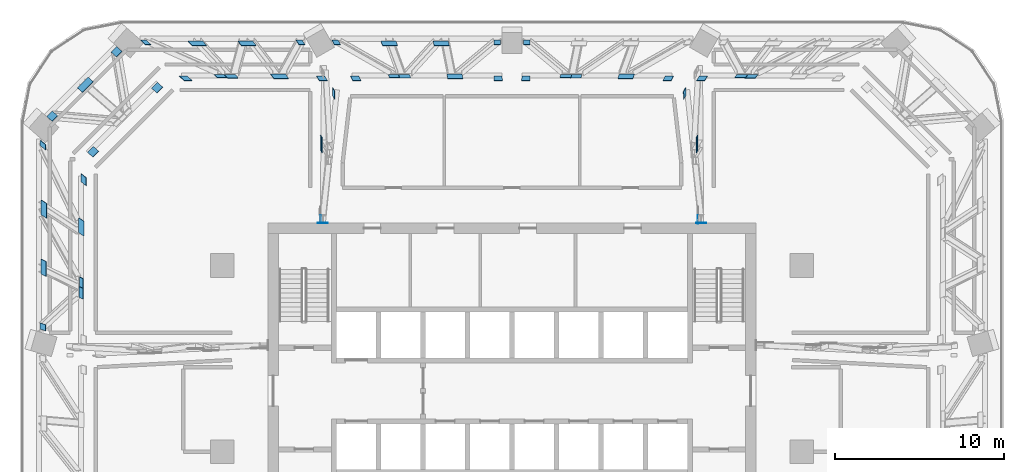
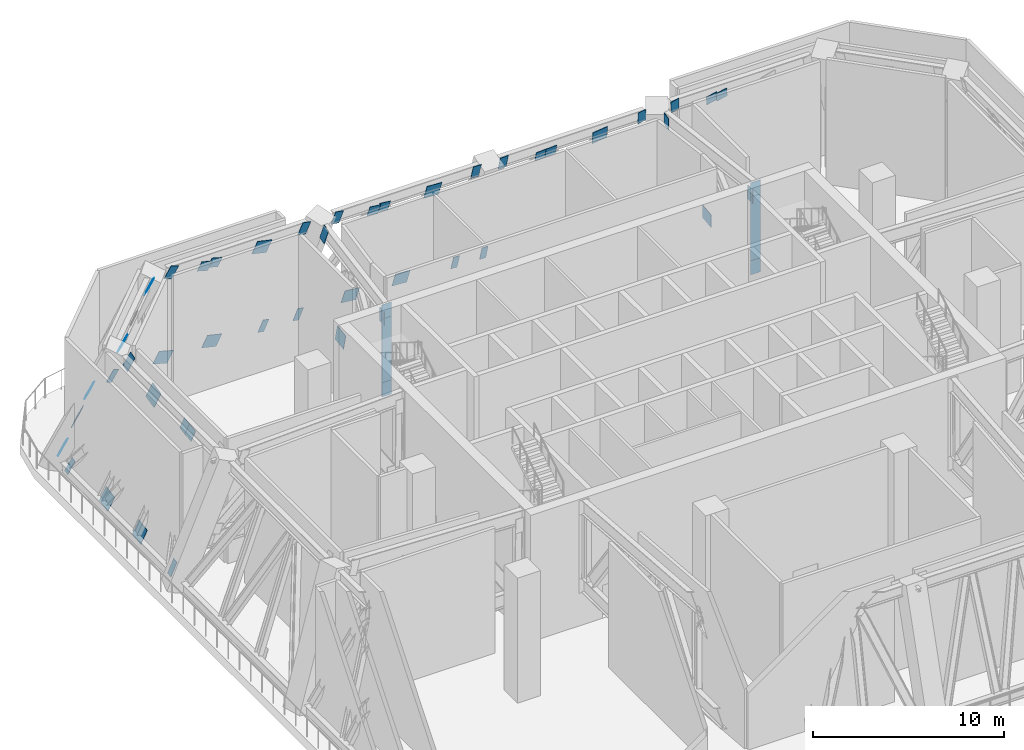
# One storey, part 12 of 24: 52 discrete accessories.
"""IFC4 building model written with IfcOpenShell, lengths in metres."""

from ifc_helpers import new_model, si_unit, direction, frame, origin, origin_2d, place, context, subcontext, project, spatial, rectangle, extrude, material, layer, layer_set, type_object, element, save


model = new_model("IFC4")

# Units and contexts
model_context = context("Model", 3, precision=1e-05, world=origin(), true_north=direction((0.0, 1.0)))
body_context = subcontext(model_context, "Body", "Model", "MODEL_VIEW")
ifc_project = project(units=[si_unit("LENGTHUNIT", "METRE"), si_unit("AREAUNIT", "SQUARE_METRE"), si_unit("VOLUMEUNIT", "CUBIC_METRE"), si_unit("PLANEANGLEUNIT", "RADIAN"), si_unit("MASSUNIT", "GRAM", prefix="KILO")], contexts=[model_context])

# Site, building, storey
site_placement = place(None, origin())
site = spatial("IfcSite", under=ifc_project, at=site_placement, CompositionType="ELEMENT")
building_placement = place(site_placement, origin())
building = spatial("IfcBuilding", under=site, at=building_placement, Name="Mopane Tessera Tower", CompositionType="ELEMENT")
storey_placement = place(building_placement, frame((0.0, 0.0, 148.60009765625)))
storey = spatial("IfcBuildingStorey", under=building, at=storey_placement, Name="L30", CompositionType="ELEMENT", Elevation=148.60009765625)

# Discrete accessories
ifc_material_1 = material(Name="Structural steel S460", Category="steel")
ifc_layer_1 = layer(ifc_material_1, 0.014892578125)
ifc_layer_set_1 = layer_set([ifc_layer_1], Name="Structural steel S460")
discrete_accessory_type_1 = type_object("IfcDiscreteAccessoryType", Name="Cast-in anchor plate 15 mm", PredefinedType="ANCHORPLATE", material=ifc_layer_set_1)
for number, where, z_axis, x_axis, name in (
    (1, (11.168701171875, 13.507568359375, 2.099853515625), (0.0, 0.0, 1.0), (0.0, 1.0, 0.0), "Cast-in anchor plate s ot L30 N1 b"),
    (2, (11.1669921875, 13.507568359375, 7.08984375), (0.0, 0.0, 1.0), (0.0, 1.0, 0.0), "Cast-in anchor plate s ot L30 N1 t"),
):
    element("IfcDiscreteAccessory", number, at=place(storey_placement, frame(where, z_axis=z_axis, x_axis=x_axis)), inside=storey, type_object=discrete_accessory_type_1, Name=name, PredefinedType="ANCHORPLATE", context=body_context, shape_type="SweptSolid", body=[
        extrude(rectangle(XDim=0.014892578125, YDim=0.60205078125, at=origin_2d()), origin(), (0.0, 0.0, 1.0), 0.91015625),
    ])
discrete_accessory_1_placement = place(storey_placement, frame((11.16796875, 13.507568359375, 3.010009765625), z_axis=(0.0, 0.0, 1.0), x_axis=(0.0, 1.0, 0.0)))
element("IfcDiscreteAccessory", 3, at=discrete_accessory_1_placement, inside=storey, type_object=discrete_accessory_type_1, Name="Cast-in anchor plate s ot L30 N1 p", PredefinedType="ANCHORPLATE", context=body_context, shape_type="SweptSolid", body=[
    extrude(rectangle(XDim=0.014892578125, YDim=0.60205078125, at=origin_2d()), origin(), (0.0, 0.0, 1.0), 4.079833984375),
])
for number, where, z_axis, x_axis, name in (
    (4, (-11.168701171875, 13.507568359375, 2.099853515625), (0.0, 0.0, 1.0), (0.0, 1.0, 0.0), "Cast-in anchor plate s ot L30 N3 b"),
    (5, (-11.1669921875, 13.507568359375, 7.08984375), (0.0, 0.0, 1.0), (0.0, 1.0, 0.0), "Cast-in anchor plate s ot L30 N3 t"),
):
    element("IfcDiscreteAccessory", number, at=place(storey_placement, frame(where, z_axis=z_axis, x_axis=x_axis)), inside=storey, type_object=discrete_accessory_type_1, Name=name, PredefinedType="ANCHORPLATE", context=body_context, shape_type="SweptSolid", body=[
        extrude(rectangle(XDim=0.014892578125, YDim=0.60205078125, at=origin_2d()), origin(), (0.0, 0.0, 1.0), 0.91015625),
    ])
discrete_accessory_2_placement = place(storey_placement, frame((-11.16796875, 13.507568359375, 3.010009765625), z_axis=(0.0, 0.0, 1.0), x_axis=(0.0, 1.0, 0.0)))
element("IfcDiscreteAccessory", 6, at=discrete_accessory_2_placement, inside=storey, type_object=discrete_accessory_type_1, Name="Cast-in anchor plate s ot L30 N3 p", PredefinedType="ANCHORPLATE", context=body_context, shape_type="SweptSolid", body=[
    extrude(rectangle(XDim=0.014892578125, YDim=0.60205078125, at=origin_2d()), origin(), (0.0, 0.0, 1.0), 4.079833984375),
])
ifc_material_2 = material(Name="Structural steel S460", Category="steel")
ifc_layer_2 = layer(ifc_material_2, 0.030029296875)
ifc_layer_set_2 = layer_set([ifc_layer_2], Name="Structural steel S460")
discrete_accessory_type_2 = type_object("IfcDiscreteAccessoryType", Name="Truss node plate 30 mm", PredefinedType="BRACKET", material=ifc_layer_set_2)
discrete_accessory_3_placement = place(storey_placement, frame((10.982421875, 13.735107421875, 6.639892578125), z_axis=(-0.004340582655, -0.007596019647, 0.999961729182), x_axis=(-0.999970104883, -0.006366020669, -0.004388977281)))
element("IfcDiscreteAccessory", 7, at=discrete_accessory_3_placement, inside=storey, type_object=discrete_accessory_type_2, Name="Truss node plate s ot L30 N1 1", PredefinedType="BRACKET", context=body_context, shape_type="SweptSolid", body=[
    extrude(rectangle(XDim=0.030029296875, YDim=0.489990234375, at=origin_2d()), origin(), (0.0, 0.0, 1.0), 0.89990234375),
])
discrete_accessory_4_placement = place(storey_placement, frame((10.966552734375, 18.24072265625, 2.559814453125), z_axis=(-0.077683155204, -0.136079458082, 0.987647562892), x_axis=(-0.996955179785, 0.003885898503, -0.077879838812)))
element("IfcDiscreteAccessory", 8, at=discrete_accessory_4_placement, inside=storey, type_object=discrete_accessory_type_2, Name="Truss node plate s ot L30 N1 4", PredefinedType="BRACKET", context=body_context, shape_type="SweptSolid", body=[
    extrude(rectangle(XDim=0.030029296875, YDim=0.89990234375, at=origin_2d()), origin(), (0.0, 0.0, 1.0), 0.911376953125),
])
discrete_accessory_5_placement = place(storey_placement, frame((10.2607421875, 21.28271484375, 7.094970703125), z_axis=(-0.142395693984, -0.249712156785, 0.957792934349), x_axis=(-0.989784502186, 0.029003009586, -0.139590345899)))
element("IfcDiscreteAccessory", 9, at=discrete_accessory_5_placement, inside=storey, type_object=discrete_accessory_type_2, Name="Truss node plate s ot L30 N1 7", PredefinedType="BRACKET", context=body_context, shape_type="SweptSolid", body=[
    extrude(rectangle(XDim=0.030029296875, YDim=0.489990234375, at=origin_2d()), origin(), (0.0, 0.0, 1.0), 0.939453125),
])
discrete_accessory_6_placement = place(storey_placement, frame((-11.314453125, 13.73779296875, 6.639892578125), z_axis=(0.004340573551, -0.007867289561, 0.999959631773), x_axis=(-0.999762039153, 0.021343529796, 0.004507638359)))
element("IfcDiscreteAccessory", 10, at=discrete_accessory_6_placement, inside=storey, type_object=discrete_accessory_type_2, Name="Truss node plate s ot L30 N3 1", PredefinedType="BRACKET", context=body_context, shape_type="SweptSolid", body=[
    extrude(rectangle(XDim=0.030029296875, YDim=0.489990234375, at=origin_2d()), origin(), (0.0, 0.0, 1.0), 0.89990234375),
])
discrete_accessory_7_placement = place(storey_placement, frame((-11.298583984375, 18.2431640625, 2.559814453125), z_axis=(0.077683155204, -0.136079458082, 0.987647562892), x_axis=(-0.996955179785, -0.003885898503, 0.077879838812)))
element("IfcDiscreteAccessory", 11, at=discrete_accessory_7_placement, inside=storey, type_object=discrete_accessory_type_2, Name="Truss node plate s ot L30 N3 4", PredefinedType="BRACKET", context=body_context, shape_type="SweptSolid", body=[
    extrude(rectangle(XDim=0.030029296875, YDim=0.89990234375, at=origin_2d()), origin(), (0.0, 0.0, 1.0), 0.911376953125),
])
discrete_accessory_8_placement = place(storey_placement, frame((-10.5927734375, 21.28515625, 7.094970703125), z_axis=(0.142395693984, -0.249712156785, 0.957792934349), x_axis=(-0.989784502186, -0.029003009586, 0.139590345899)))
element("IfcDiscreteAccessory", 12, at=discrete_accessory_8_placement, inside=storey, type_object=discrete_accessory_type_2, Name="Truss node plate s ot L30 N3 7", PredefinedType="BRACKET", context=body_context, shape_type="SweptSolid", body=[
    extrude(rectangle(XDim=0.030029296875, YDim=0.489990234375, at=origin_2d()), origin(), (0.0, 0.0, 1.0), 0.939453125),
])
discrete_accessory_9_placement = place(storey_placement, frame((14.201904296875, 22.26953125, 6.932861328125), z_axis=(-0.217876591761, -0.278339952154, 0.935444633208), x_axis=(0.062771902272, -0.960482555847, -0.271169593057)))
element("IfcDiscreteAccessory", 13, at=discrete_accessory_9_placement, inside=storey, type_object=discrete_accessory_type_2, Name="Truss node plate s bt L30 N0-N1 4", PredefinedType="BRACKET", context=body_context, shape_type="SweptSolid", body=[
    extrude(rectangle(XDim=0.030029296875, YDim=0.6572265625, at=origin_2d()), origin(), (0.0, 0.0, 1.0), 0.70263671875),
])
discrete_accessory_10_placement = place(storey_placement, frame((13.606201171875, 22.278564453125, 6.90234375), z_axis=(-0.208844462456, -0.278807357379, 0.937363562324), x_axis=(0.060619972565, -0.960347050467, -0.272137394684)))
element("IfcDiscreteAccessory", 14, at=discrete_accessory_10_placement, inside=storey, type_object=discrete_accessory_type_2, Name="Truss node plate s bt L30 N0-N1 6", PredefinedType="BRACKET", context=body_context, shape_type="SweptSolid", body=[
    extrude(rectangle(XDim=0.030029296875, YDim=0.6572265625, at=origin_2d()), origin(), (0.0, 0.0, 1.0), 0.701416015625),
])
discrete_accessory_11_placement = place(storey_placement, frame((11.312255859375, 22.192626953125, 7.19189453125), z_axis=(-0.175841003758, -0.281038460155, 0.943449694107), x_axis=(0.051419626951, -0.959696503443, -0.276294486453)))
element("IfcDiscreteAccessory", 15, at=discrete_accessory_11_placement, inside=storey, type_object=discrete_accessory_type_2, Name="Truss node plate s bt L30 N0-N1 7", PredefinedType="BRACKET", context=body_context, shape_type="SweptSolid", body=[
    extrude(rectangle(XDim=0.030029296875, YDim=0.489990234375, at=origin_2d()), origin(), (0.0, 0.0, 1.0), 0.953857421875),
])
discrete_accessory_12_placement = place(storey_placement, frame((9.2978515625, 22.192626953125, 7.19189453125), z_axis=(-0.145091716292, -0.282465788101, 0.948241252222), x_axis=(0.043145507269, -0.959277285581, -0.27915149036)))
element("IfcDiscreteAccessory", 16, at=discrete_accessory_12_placement, inside=storey, type_object=discrete_accessory_type_2, Name="Truss node plate s bt L30 N1-N2 1", PredefinedType="BRACKET", context=body_context, shape_type="SweptSolid", body=[
    extrude(rectangle(XDim=0.030029296875, YDim=0.489990234375, at=origin_2d()), origin(), (0.0, 0.0, 1.0), 0.948974609375),
])
discrete_accessory_13_placement = place(storey_placement, frame((6.790771484375, 22.3076171875, 6.80517578125), z_axis=(-0.105754025834, -0.28364832846, 0.953079069008), x_axis=(0.031612606792, -0.958928320501, -0.281881392136)))
element("IfcDiscreteAccessory", 17, at=discrete_accessory_13_placement, inside=storey, type_object=discrete_accessory_type_2, Name="Truss node plate s bt L30 N1-N2 2", PredefinedType="BRACKET", context=body_context, shape_type="SweptSolid", body=[
    extrude(rectangle(XDim=0.030029296875, YDim=0.89990234375, at=origin_2d()), origin(), (0.0, 0.0, 1.0), 0.944091796875),
])
discrete_accessory_14_placement = place(storey_placement, frame((3.79296875, 22.269775390625, 6.932373046875), z_axis=(-0.059326992688, -0.284841043208, 0.956737104979), x_axis=(0.018225321465, -0.958574593942, -0.284257955924)))
element("IfcDiscreteAccessory", 18, at=discrete_accessory_14_placement, inside=storey, type_object=discrete_accessory_type_2, Name="Truss node plate s bt L30 N1-N2 4", PredefinedType="BRACKET", context=body_context, shape_type="SweptSolid", body=[
    extrude(rectangle(XDim=0.030029296875, YDim=0.653564453125, at=origin_2d()), origin(), (0.0, 0.0, 1.0), 0.68310546875),
])
discrete_accessory_15_placement = place(storey_placement, frame((3.195556640625, 22.279541015625, 6.899658203125), z_axis=(-0.05006025543, -0.2849858827, 0.95722359848), x_axis=(0.015114178289, -0.958531688421, -0.284584897539)))
element("IfcDiscreteAccessory", 19, at=discrete_accessory_15_placement, inside=storey, type_object=discrete_accessory_type_2, Name="Truss node plate s bt L30 N1-N2 6", PredefinedType="BRACKET", context=body_context, shape_type="SweptSolid", body=[
    extrude(rectangle(XDim=0.030029296875, YDim=0.653564453125, at=origin_2d()), origin(), (0.0, 0.0, 1.0), 0.682861328125),
])
discrete_accessory_16_placement = place(storey_placement, frame((0.82861328125, 22.192626953125, 7.19189453125), z_axis=(-0.012999208892, -0.285462627273, 0.958301679534), x_axis=(0.00417449528, -0.958389797688, -0.285432249891)))
element("IfcDiscreteAccessory", 20, at=discrete_accessory_16_placement, inside=storey, type_object=discrete_accessory_type_2, Name="Truss node plate s bt L30 N1-N2 7", PredefinedType="BRACKET", context=body_context, shape_type="SweptSolid", body=[
    extrude(rectangle(XDim=0.030029296875, YDim=0.489990234375, at=origin_2d()), origin(), (0.0, 0.0, 1.0), 0.93896484375),
])
for number, where, z_axis, x_axis, name in (
    (21, (0.871826171875, 24.298583984375, 0.11572265625), (-0.012220283108, -0.285226607864, 0.958382202906), (0.003994425342, -0.958460048481, -0.285198842971), "Truss node plate s bt L30 N1-N2 8"),
    (22, (-0.871826171875, 24.298583984375, 0.11572265625), (0.012220283108, -0.285226607864, 0.958382202906), (-0.003994425342, -0.958460048481, -0.285198842971), "Truss node plate s bt L30 N2-N3 0"),
):
    element("IfcDiscreteAccessory", number, at=place(storey_placement, frame(where, z_axis=z_axis, x_axis=x_axis)), inside=storey, type_object=discrete_accessory_type_2, Name=name, PredefinedType="BRACKET", context=body_context, shape_type="SweptSolid", body=[
        extrude(rectangle(XDim=0.030029296875, YDim=0.383544921875, at=origin_2d()), origin(), (0.0, 0.0, 1.0), 0.93896484375),
    ])
discrete_accessory_17_placement = place(storey_placement, frame((-0.82861328125, 22.192626953125, 7.19189453125), z_axis=(0.012999208892, -0.285462627273, 0.958301679534), x_axis=(-0.00417449528, -0.958389797688, -0.285432249891)))
element("IfcDiscreteAccessory", 23, at=discrete_accessory_17_placement, inside=storey, type_object=discrete_accessory_type_2, Name="Truss node plate s bt L30 N2-N3 1", PredefinedType="BRACKET", context=body_context, shape_type="SweptSolid", body=[
    extrude(rectangle(XDim=0.030029296875, YDim=0.489990234375, at=origin_2d()), origin(), (0.0, 0.0, 1.0), 0.93896484375),
])
discrete_accessory_18_placement = place(storey_placement, frame((-3.400146484375, 22.3076171875, 6.80517578125), z_axis=(0.053229644223, -0.284843510795, 0.957094968816), x_axis=(-0.015799048046, -0.958574031595, -0.28440502111)))
element("IfcDiscreteAccessory", 24, at=discrete_accessory_18_placement, inside=storey, type_object=discrete_accessory_type_2, Name="Truss node plate s bt L30 N2-N3 2", PredefinedType="BRACKET", context=body_context, shape_type="SweptSolid", body=[
    extrude(rectangle(XDim=0.030029296875, YDim=0.89990234375, at=origin_2d()), origin(), (0.0, 0.0, 1.0), 0.940185546875),
])
discrete_accessory_19_placement = place(storey_placement, frame((-4.2060546875, 24.24658203125, 0.290771484375), z_axis=(0.059694768497, -0.284977633954, 0.956673550779), x_axis=(-0.017144369117, -0.958533991322, -0.284462050346)))
element("IfcDiscreteAccessory", 25, at=discrete_accessory_19_placement, inside=storey, type_object=discrete_accessory_type_2, Name="Truss node plate s bt L30 N2-N3 3", PredefinedType="BRACKET", context=body_context, shape_type="SweptSolid", body=[
    extrude(rectangle(XDim=0.030029296875, YDim=0.89990234375, at=origin_2d()), origin(), (0.0, 0.0, 1.0), 0.940673828125),
])
discrete_accessory_20_placement = place(storey_placement, frame((-6.376708984375, 22.269775390625, 6.932373046875), z_axis=(0.099746262387, -0.283920611151, 0.953645515747), x_axis=(-0.029386032154, -0.958847780311, -0.282395813188)))
element("IfcDiscreteAccessory", 26, at=discrete_accessory_20_placement, inside=storey, type_object=discrete_accessory_type_2, Name="Truss node plate s bt L30 N2-N3 4", PredefinedType="BRACKET", context=body_context, shape_type="SweptSolid", body=[
    extrude(rectangle(XDim=0.030029296875, YDim=0.653564453125, at=origin_2d()), origin(), (0.0, 0.0, 1.0), 0.685302734375),
])
discrete_accessory_21_placement = place(storey_placement, frame((-7.29638671875, 24.25390625, 0.265869140625), z_axis=(0.102914959865, -0.283662590381, 0.953385570404), x_axis=(-0.029923246154, -0.958924023539, -0.282080336819)))
element("IfcDiscreteAccessory", 27, at=discrete_accessory_21_placement, inside=storey, type_object=discrete_accessory_type_2, Name="Truss node plate s bt L30 N2-N3 5", PredefinedType="BRACKET", context=body_context, shape_type="SweptSolid", body=[
    extrude(rectangle(XDim=0.030029296875, YDim=0.89990234375, at=origin_2d()), origin(), (0.0, 0.0, 1.0), 0.944091796875),
])
discrete_accessory_22_placement = place(storey_placement, frame((-6.9794921875, 22.279541015625, 6.899658203125), z_axis=(0.108903183046, -0.283646525778, 0.952724905278), x_axis=(-0.032401347997, -0.958928889636, -0.281789881417)))
element("IfcDiscreteAccessory", 28, at=discrete_accessory_22_placement, inside=storey, type_object=discrete_accessory_type_2, Name="Truss node plate s bt L30 N2-N3 6", PredefinedType="BRACKET", context=body_context, shape_type="SweptSolid", body=[
    extrude(rectangle(XDim=0.030029296875, YDim=0.653564453125, at=origin_2d()), origin(), (0.0, 0.0, 1.0), 0.68603515625),
])
discrete_accessory_23_placement = place(storey_placement, frame((-9.2978515625, 22.192626953125, 7.19189453125), z_axis=(0.145091716292, -0.282465788101, 0.948241252222), x_axis=(-0.043145507269, -0.959277285581, -0.27915149036)))
element("IfcDiscreteAccessory", 29, at=discrete_accessory_23_placement, inside=storey, type_object=discrete_accessory_type_2, Name="Truss node plate s bt L30 N2-N3 7", PredefinedType="BRACKET", context=body_context, shape_type="SweptSolid", body=[
    extrude(rectangle(XDim=0.030029296875, YDim=0.489990234375, at=origin_2d()), origin(), (0.0, 0.0, 1.0), 0.948974609375),
])
discrete_accessory_24_placement = place(storey_placement, frame((-10.44482421875, 24.298583984375, 0.11572265625), z_axis=(0.145857698787, -0.282197346683, 0.948203664425), x_axis=(-0.043341002099, -0.959356283123, -0.278849564405)))
element("IfcDiscreteAccessory", 30, at=discrete_accessory_24_placement, inside=storey, type_object=discrete_accessory_type_2, Name="Truss node plate s bt L30 N2-N3 8", PredefinedType="BRACKET", context=body_context, shape_type="SweptSolid", body=[
    extrude(rectangle(XDim=0.030029296875, YDim=0.3623046875, at=origin_2d()), origin(), (0.0, 0.0, 1.0), 0.948974609375),
])
discrete_accessory_25_placement = place(storey_placement, frame((-12.5673828125, 24.29931640625, 0.11328125), z_axis=(0.174861150859, -0.280853122243, 0.943686972278), x_axis=(-0.05111114351, -0.959750759543, -0.276163231742)))
element("IfcDiscreteAccessory", 31, at=discrete_accessory_25_placement, inside=storey, type_object=discrete_accessory_type_2, Name="Truss node plate s bt L30 N3-N4 0", PredefinedType="BRACKET", context=body_context, shape_type="SweptSolid", body=[
    extrude(rectangle(XDim=0.030029296875, YDim=0.36474609375, at=origin_2d()), origin(), (0.0, 0.0, 1.0), 0.95361328125),
])
discrete_accessory_26_placement = place(storey_placement, frame((-11.312255859375, 22.192626953125, 7.19189453125), z_axis=(0.175841003758, -0.281038460155, 0.943449694107), x_axis=(-0.051419626951, -0.959696503443, -0.276294486453)))
element("IfcDiscreteAccessory", 32, at=discrete_accessory_26_placement, inside=storey, type_object=discrete_accessory_type_2, Name="Truss node plate s bt L30 N3-N4 1", PredefinedType="BRACKET", context=body_context, shape_type="SweptSolid", body=[
    extrude(rectangle(XDim=0.030029296875, YDim=0.489990234375, at=origin_2d()), origin(), (0.0, 0.0, 1.0), 0.953857421875),
])
discrete_accessory_27_placement = place(storey_placement, frame((-13.827880859375, 22.306884765625, 6.8076171875), z_axis=(0.211692224522, -0.278783157624, 0.936731740202), x_axis=(-0.061898407618, -0.96035397554, -0.271824996642)))
element("IfcDiscreteAccessory", 33, at=discrete_accessory_27_placement, inside=storey, type_object=discrete_accessory_type_2, Name="Truss node plate s bt L30 N3-N4 2", PredefinedType="BRACKET", context=body_context, shape_type="SweptSolid", body=[
    extrude(rectangle(XDim=0.030029296875, YDim=0.89990234375, at=origin_2d()), origin(), (0.0, 0.0, 1.0), 0.960693359375),
])
discrete_accessory_28_placement = place(storey_placement, frame((-15.74853515625, 24.2470703125, 0.288330078125), z_axis=(0.217748480613, -0.278403360411, 0.93545559387), x_axis=(-0.063147069091, -0.960464246107, -0.271147339311)))
element("IfcDiscreteAccessory", 34, at=discrete_accessory_28_placement, inside=storey, type_object=discrete_accessory_type_2, Name="Truss node plate s bt L30 N3-N4 3", PredefinedType="BRACKET", context=body_context, shape_type="SweptSolid", body=[
    extrude(rectangle(XDim=0.030029296875, YDim=0.89990234375, at=origin_2d()), origin(), (0.0, 0.0, 1.0), 0.9619140625),
])
discrete_accessory_29_placement = place(storey_placement, frame((-16.662841796875, 22.26953125, 6.932861328125), z_axis=(0.253167118461, -0.275900492364, 0.92724609918), x_axis=(-0.07277263337, -0.961186198276, -0.266130111178)))
element("IfcDiscreteAccessory", 35, at=discrete_accessory_29_placement, inside=storey, type_object=discrete_accessory_type_2, Name="Truss node plate s bt L30 N3-N4 4", PredefinedType="BRACKET", context=body_context, shape_type="SweptSolid", body=[
    extrude(rectangle(XDim=0.030029296875, YDim=0.6572265625, at=origin_2d()), origin(), (0.0, 0.0, 1.0), 0.708740234375),
])
discrete_accessory_30_placement = place(storey_placement, frame((-18.7080078125, 24.25390625, 0.265869140625), z_axis=(0.2560678272, -0.275668701117, 0.926518232469), x_axis=(-0.073449792834, -0.961252707156, -0.265703520709)))
element("IfcDiscreteAccessory", 36, at=discrete_accessory_30_placement, inside=storey, type_object=discrete_accessory_type_2, Name="Truss node plate s bt L30 N3-N4 5", PredefinedType="BRACKET", context=body_context, shape_type="SweptSolid", body=[
    extrude(rectangle(XDim=0.030029296875, YDim=0.89990234375, at=origin_2d()), origin(), (0.0, 0.0, 1.0), 0.971435546875),
])
discrete_accessory_31_placement = place(storey_placement, frame((-17.27392578125, 22.278564453125, 6.90234375), z_axis=(0.2617568665, -0.275153871478, 0.925080369401), x_axis=(-0.074758648248, -0.961400188563, -0.264803364676)))
element("IfcDiscreteAccessory", 37, at=discrete_accessory_31_placement, inside=storey, type_object=discrete_accessory_type_2, Name="Truss node plate s bt L30 N3-N4 6", PredefinedType="BRACKET", context=body_context, shape_type="SweptSolid", body=[
    extrude(rectangle(XDim=0.030029296875, YDim=0.6572265625, at=origin_2d()), origin(), (0.0, 0.0, 1.0), 0.710693359375),
])
discrete_accessory_32_placement = place(storey_placement, frame((-19.42138671875, 22.192626953125, 7.19189453125), z_axis=(0.292858334789, -0.272969823089, 0.916363176599), x_axis=(-0.083711922365, -0.962022395971, -0.259817673964)))
element("IfcDiscreteAccessory", 38, at=discrete_accessory_32_placement, inside=storey, type_object=discrete_accessory_type_2, Name="Truss node plate s bt L30 N3-N4 7", PredefinedType="BRACKET", context=body_context, shape_type="SweptSolid", body=[
    extrude(rectangle(XDim=0.030029296875, YDim=0.489990234375, at=origin_2d()), origin(), (0.0, 0.0, 1.0), 0.98193359375),
])
discrete_accessory_33_placement = place(storey_placement, frame((-21.758544921875, 24.29931640625, 0.11328125), z_axis=(0.294014065287, -0.272640261725, 0.916091162003), x_axis=(-0.083106720852, -0.962116023558, -0.259665227096)))
element("IfcDiscreteAccessory", 39, at=discrete_accessory_33_placement, inside=storey, type_object=discrete_accessory_type_2, Name="Truss node plate s bt L30 N3-N4 8", PredefinedType="BRACKET", context=body_context, shape_type="SweptSolid", body=[
    extrude(rectangle(XDim=0.030029296875, YDim=0.343017578125, at=origin_2d()), origin(), (0.0, 0.0, 1.0), 0.982421875),
])
discrete_accessory_34_placement = place(storey_placement, frame((-23.494140625, 23.75048828125, 0.10888671875), z_axis=(0.309337061572, -0.271257199476, 0.911443971986), x_axis=(0.636313992787, -0.653224784624, -0.410367985271)))
element("IfcDiscreteAccessory", 40, at=discrete_accessory_34_placement, inside=storey, type_object=discrete_accessory_type_2, Name="Truss node plate s bt L30 N4-W0 0", PredefinedType="BRACKET", context=body_context, shape_type="SweptSolid", body=[
    extrude(rectangle(XDim=0.030029296875, YDim=0.462890625, at=origin_2d()), origin(), (0.0, 0.0, 1.0), 0.9873046875),
])
discrete_accessory_35_placement = place(storey_placement, frame((-21.100341796875, 21.6328125, 7.19189453125), z_axis=(0.309337061572, -0.271257199476, 0.911443971986), x_axis=(0.636313992787, -0.653224784624, -0.410367985271)))
element("IfcDiscreteAccessory", 41, at=discrete_accessory_35_placement, inside=storey, type_object=discrete_accessory_type_2, Name="Truss node plate s bt L30 N4-W0 1", PredefinedType="BRACKET", context=body_context, shape_type="SweptSolid", body=[
    extrude(rectangle(XDim=0.030029296875, YDim=0.489990234375, at=origin_2d()), origin(), (0.0, 0.0, 1.0), 0.9873046875),
])
discrete_accessory_36_placement = place(storey_placement, frame((-25.341796875, 21.802734375, 0.265869140625), z_axis=(0.30926735902, -0.271196077414, 0.911485813515), x_axis=(0.636345371366, -0.653252300453, -0.410275517542)))
element("IfcDiscreteAccessory", 42, at=discrete_accessory_36_placement, inside=storey, type_object=discrete_accessory_type_2, Name="Truss node plate s bt L30 N4-W0 3", PredefinedType="BRACKET", context=body_context, shape_type="SweptSolid", body=[
    extrude(rectangle(XDim=0.030029296875, YDim=0.89990234375, at=origin_2d()), origin(), (0.0, 0.0, 1.0), 0.987548828125),
])
discrete_accessory_37_placement = place(storey_placement, frame((-27.2958984375, 19.948486328125, 0.10888671875), z_axis=(0.309337061572, -0.271257199476, 0.911443971986), x_axis=(0.636313992787, -0.653224784624, -0.410367985271)))
element("IfcDiscreteAccessory", 43, at=discrete_accessory_37_placement, inside=storey, type_object=discrete_accessory_type_2, Name="Truss node plate s bt L30 N4-W0 6", PredefinedType="BRACKET", context=body_context, shape_type="SweptSolid", body=[
    extrude(rectangle(XDim=0.030029296875, YDim=0.462890625, at=origin_2d()), origin(), (0.0, 0.0, 1.0), 0.9873046875),
])
discrete_accessory_38_placement = place(storey_placement, frame((-24.883056640625, 17.85009765625, 7.19189453125), z_axis=(0.309337061572, -0.271257199476, 0.911443971986), x_axis=(0.636313992787, -0.653224784624, -0.410367985271)))
element("IfcDiscreteAccessory", 44, at=discrete_accessory_38_placement, inside=storey, type_object=discrete_accessory_type_2, Name="Truss node plate s bt L30 N4-W0 7", PredefinedType="BRACKET", context=body_context, shape_type="SweptSolid", body=[
    extrude(rectangle(XDim=0.030029296875, YDim=0.489990234375, at=origin_2d()), origin(), (0.0, 0.0, 1.0), 0.9873046875),
])
discrete_accessory_39_placement = place(storey_placement, frame((-27.841552734375, 18.240478515625, 0.12255859375), z_axis=(0.310733081057, -0.255342611772, 0.915557263611), x_axis=(0.950497199021, 0.083642165003, -0.299264202483)))
element("IfcDiscreteAccessory", 45, at=discrete_accessory_39_placement, inside=storey, type_object=discrete_accessory_type_2, Name="Truss node plate s bt L30 W0-W1 0", PredefinedType="BRACKET", context=body_context, shape_type="SweptSolid", body=[
    extrude(rectangle(XDim=0.030029296875, YDim=0.331298828125, at=origin_2d()), origin(), (0.0, 0.0, 1.0), 0.98291015625),
])
discrete_accessory_40_placement = place(storey_placement, frame((-25.44287109375, 16.19775390625, 7.19189453125), z_axis=(0.310811789295, -0.254413487001, 0.915789172936), x_axis=(0.950471475505, 0.083117476253, -0.299492002217)))
element("IfcDiscreteAccessory", 46, at=discrete_accessory_40_placement, inside=storey, type_object=discrete_accessory_type_2, Name="Truss node plate s bt L30 W0-W1 1", PredefinedType="BRACKET", context=body_context, shape_type="SweptSolid", body=[
    extrude(rectangle(XDim=0.030029296875, YDim=0.489990234375, at=origin_2d()), origin(), (0.0, 0.0, 1.0), 0.982666015625),
])
discrete_accessory_41_placement = place(storey_placement, frame((-25.576416015625, 13.385009765625, 6.79833984375), z_axis=(0.314138438478, -0.211183394692, 0.925590954621), x_axis=(0.949377120863, 0.0695168466, -0.306350274067)))
element("IfcDiscreteAccessory", 47, at=discrete_accessory_41_placement, inside=storey, type_object=discrete_accessory_type_2, Name="Truss node plate s bt L30 W0-W1 2", PredefinedType="BRACKET", context=body_context, shape_type="SweptSolid", body=[
    extrude(rectangle(XDim=0.030029296875, YDim=0.89990234375, at=origin_2d()), origin(), (0.0, 0.0, 1.0), 0.97216796875),
])
discrete_accessory_42_placement = place(storey_placement, frame((-27.781982421875, 14.4306640625, 0.297607421875), z_axis=(0.314492446927, -0.204885167262, 0.926885413124), x_axis=(0.949259876664, 0.06832428069, -0.306981235949)))
element("IfcDiscreteAccessory", 48, at=discrete_accessory_42_placement, inside=storey, type_object=discrete_accessory_type_2, Name="Truss node plate s bt L30 W0-W1 3", PredefinedType="BRACKET", context=body_context, shape_type="SweptSolid", body=[
    extrude(rectangle(XDim=0.030029296875, YDim=0.89990234375, at=origin_2d()), origin(), (0.0, 0.0, 1.0), 0.97119140625),
])
discrete_accessory_43_placement = place(storey_placement, frame((-25.53125, 10.021484375, 6.930908203125), z_axis=(0.316951895266, -0.15989725658, 0.934865960139), x_axis=(0.948441577305, 0.053158746568, -0.312462353098)))
element("IfcDiscreteAccessory", 49, at=discrete_accessory_43_placement, inside=storey, type_object=discrete_accessory_type_2, Name="Truss node plate s bt L30 W0-W1 4", PredefinedType="BRACKET", context=body_context, shape_type="SweptSolid", body=[
    extrude(rectangle(XDim=0.030029296875, YDim=0.642333984375, at=origin_2d()), origin(), (0.0, 0.0, 1.0), 0.68701171875),
])
discrete_accessory_44_placement = place(storey_placement, frame((-27.792724609375, 10.9423828125, 0.265869140625), z_axis=(0.317107827467, -0.1567781099, 0.935341247896), x_axis=(0.948389483241, 0.052298718662, -0.312765458616)))
element("IfcDiscreteAccessory", 50, at=discrete_accessory_44_placement, inside=storey, type_object=discrete_accessory_type_2, Name="Truss node plate s bt L30 W0-W1 5", PredefinedType="BRACKET", context=body_context, shape_type="SweptSolid", body=[
    extrude(rectangle(XDim=0.030029296875, YDim=0.89990234375, at=origin_2d()), origin(), (0.0, 0.0, 1.0), 0.96240234375),
])
discrete_accessory_45_placement = place(storey_placement, frame((-25.544677734375, 9.44140625, 6.8916015625), z_axis=(0.317744524572, -0.150510564271, 0.936154360748), x_axis=(0.948176072991, 0.051211199727, -0.313591370466)))
element("IfcDiscreteAccessory", 51, at=discrete_accessory_45_placement, inside=storey, type_object=discrete_accessory_type_2, Name="Truss node plate s bt L30 W0-W1 6", PredefinedType="BRACKET", context=body_context, shape_type="SweptSolid", body=[
    extrude(rectangle(XDim=0.030029296875, YDim=0.642333984375, at=origin_2d()), origin(), (0.0, 0.0, 1.0), 0.68603515625),
])
discrete_accessory_46_placement = place(storey_placement, frame((-27.841552734375, 7.431640625, 0.12255859375), z_axis=(0.319540928292, -0.107024499564, 0.94150908208), x_axis=(0.947572473766, 0.036042717955, -0.317501699907)))
element("IfcDiscreteAccessory", 52, at=discrete_accessory_46_placement, inside=storey, type_object=discrete_accessory_type_2, Name="Truss node plate s bt L30 W0-W1 8", PredefinedType="BRACKET", context=body_context, shape_type="SweptSolid", body=[
    extrude(rectangle(XDim=0.030029296875, YDim=0.3642578125, at=origin_2d()), origin(), (0.0, 0.0, 1.0), 0.955810546875),
])

save(model, "model.ifc")
